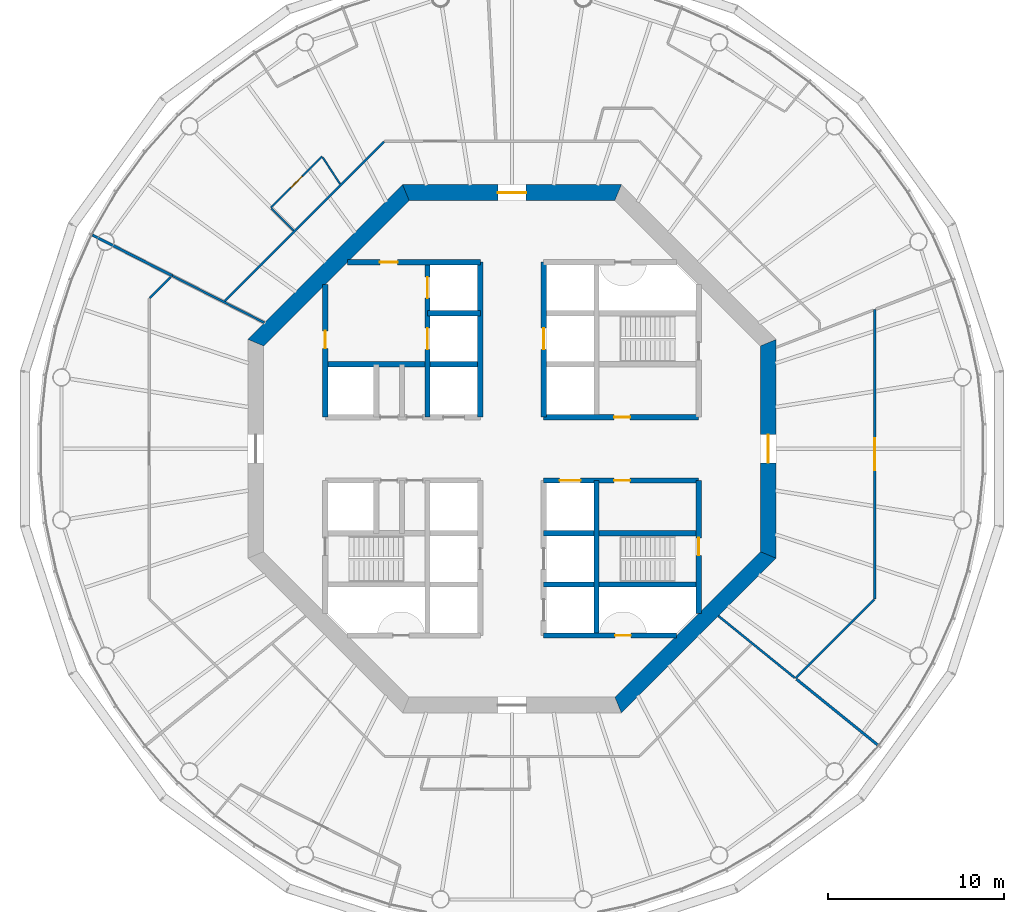
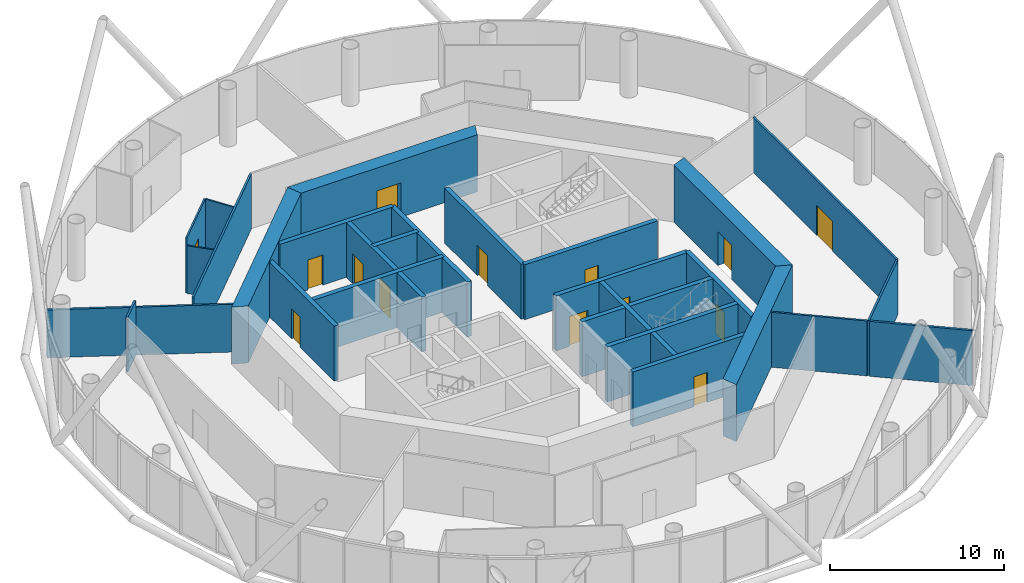
# One storey, part 4 of 12: 29 walls, 14 doors, 14 openings.
"""IFC4 building model written with IfcOpenShell, lengths in metres."""

from ifc_helpers import new_model, si_unit, direction, frame, frame_2d, origin, place, context, subcontext, project, spatial, polyline, rectangle, outline, extrude, material, layer, layer_set, type_object, element, fill, save


model = new_model("IFC4")

# Units and contexts
model_context = context("Model", 3, precision=1e-05, world=origin(), true_north=direction((0.0, 1.0)))
body_context = subcontext(model_context, "Body", "Model", "MODEL_VIEW")
ifc_project = project(units=[si_unit("LENGTHUNIT", "METRE"), si_unit("AREAUNIT", "SQUARE_METRE"), si_unit("VOLUMEUNIT", "CUBIC_METRE"), si_unit("PLANEANGLEUNIT", "RADIAN"), si_unit("MASSUNIT", "GRAM", prefix="KILO")], contexts=[model_context])

# Site, building, storey
site_placement = place(None, origin())
site = spatial("IfcSite", under=ifc_project, at=site_placement, CompositionType="ELEMENT")
building_placement = place(site_placement, origin())
building = spatial("IfcBuilding", under=site, at=building_placement, Name="Entoto Ring Tower", CompositionType="ELEMENT")
storey_placement = place(building_placement, frame((0.0, 0.0, 238.0)))
storey = spatial("IfcBuildingStorey", under=building, at=storey_placement, Name="L54", CompositionType="ELEMENT", Elevation=238.0)

# Wall, opening, door
ifc_material_1 = material(Name="Concrete C40/50", Category="concrete")
ifc_layer_1 = layer(ifc_material_1, 0.300048828125)
ifc_layer_set_1 = layer_set([ifc_layer_1], Name="Concrete C40/50")
wall_type_1 = type_object("IfcWallType", Name="Core enclosure wall 300 mm reinforced concrete", PredefinedType="SOLIDWALL", material=ifc_layer_set_1)
wall_1_placement = place(storey_placement, frame((100.60009765625, 70.65966796875, 0.0), z_axis=(0.0, 0.0, 1.0), x_axis=(0.0, 1.0, 0.0)))
wall_1 = element("IfcWall", 1, at=wall_1_placement, inside=storey, type_object=wall_type_1, Name="wall-L54-001", PredefinedType="SOLIDWALL", context=body_context, shape_type="SweptSolid", body=[
    extrude(rectangle(XDim=7.540283203125, YDim=0.300048828125, at=frame_2d((3.77001953125, 0.0))), origin(), (0.0, 0.0, 1.0), 3.85009765625),
])
opening_1_placement = place(wall_1_placement, frame((3.290283203125, 0.0, 0.0)))
opening_1 = element("IfcOpeningElement", 2, at=opening_1_placement, cuts=wall_1, Name="Opening K-61", PredefinedType="OPENING", context=body_context, shape_type="SweptSolid", body=[
    extrude(rectangle(XDim=1.0, YDim=2.10009765625, at=frame_2d((0.5, 1.050048828125))), frame((0.0, 0.16015625, 0.0), z_axis=(0.0, -1.0, 0.0), x_axis=(1.0, 0.0, 0.0)), (0.0, 0.0, 1.0), 0.320068359375),
])
ifc_material_2 = material(Name="Steel door leaf, fire rated", Category="steel")
ifc_layer_2 = layer(ifc_material_2, 0.050048828125)
ifc_layer_set_2 = layer_set([ifc_layer_2], Name="Steel door leaf, fire rated")
door_type_1 = type_object("IfcDoorType", Name="Fire door FD60 1000 x 2100 single leaf", OperationType="NOTDEFINED", PredefinedType="DOOR", material=ifc_layer_set_2)
door_1_placement = place(opening_1_placement, origin())
door_1 = element("IfcDoor", 3, at=door_1_placement, inside=storey, type_object=door_type_1, Name="Door K-61", OperationType="SINGLE_SWING_RIGHT", OverallHeight=2.10009765625, OverallWidth=1.0, PredefinedType="DOOR", context=body_context, shape_type="SweptSolid", body=[
    extrude(rectangle(XDim=1.0, YDim=2.10009765625, at=frame_2d((0.5, 1.050048828125))), frame((0.0, 0.02490234375, 0.0), z_axis=(0.0, -1.0, 0.0), x_axis=(1.0, 0.0, 0.0)), (0.0, 0.0, 1.0), 0.050048828125),
])
fill(opening_1, door_1)

# Wall
wall_2_placement = place(storey_placement, frame((94.800048828125, 69.39990234375, 0.0), z_axis=(0.0, 0.0, 1.0), x_axis=(0.0, 1.0, 0.0)))
element("IfcWall", 4, at=wall_2_placement, inside=storey, type_object=wall_type_1, Name="wall-L54-003", PredefinedType="SOLIDWALL", context=body_context, shape_type="SweptSolid", body=[
    extrude(rectangle(XDim=8.800048828125, YDim=0.300048828125, at=frame_2d((4.39990234375, 0.0))), origin(), (0.0, 0.0, 1.0), 3.85009765625),
])

# Wall, opening, door
wall_3_placement = place(storey_placement, frame((91.800048828125, 81.800048828125, 0.0), z_axis=(0.0, 0.0, 1.0), x_axis=(0.0, 1.0, 0.0)))
wall_3 = element("IfcWall", 5, at=wall_3_placement, inside=storey, type_object=wall_type_1, Name="wall-L54-006", PredefinedType="SOLIDWALL", context=body_context, shape_type="SweptSolid", body=[
    extrude(rectangle(XDim=8.800048828125, YDim=0.300048828125, at=frame_2d((4.39990234375, 0.0))), origin(), (0.0, 0.0, 1.0), 3.85009765625),
])
opening_2_placement = place(wall_3_placement, frame((3.85009765625, 0.0, 0.0)))
opening_2 = element("IfcOpeningElement", 6, at=opening_2_placement, cuts=wall_3, Name="Opening LD", PredefinedType="OPENING", context=body_context, shape_type="SweptSolid", body=[
    extrude(rectangle(XDim=1.199951171875, YDim=2.10009765625, at=frame_2d((0.60009765625, 1.050048828125))), frame((0.0, 0.16015625, 0.0), z_axis=(0.0, -1.0, 0.0), x_axis=(1.0, 0.0, 0.0)), (0.0, 0.0, 1.0), 0.320068359375),
])
ifc_material_3 = material(Name="Steel and glass door leaf", Category="steel")
ifc_layer_3 = layer(ifc_material_3, 0.050048828125)
ifc_layer_set_3 = layer_set([ifc_layer_3], Name="Steel and glass door leaf")
door_type_2 = type_object("IfcDoorType", Name="Landing door 1200 x 2100 sliding", OperationType="DOUBLE_DOOR_SLIDING", PredefinedType="DOOR", material=ifc_layer_set_3)
door_2_placement = place(opening_2_placement, origin())
door_2 = element("IfcDoor", 7, at=door_2_placement, inside=storey, type_object=door_type_2, Name="Landing door LB1-MR", OperationType="SLIDING_TO_RIGHT", OverallHeight=2.10009765625, OverallWidth=1.199951171875, PredefinedType="DOOR", context=body_context, shape_type="SweptSolid", body=[
    extrude(rectangle(XDim=1.199951171875, YDim=2.10009765625, at=frame_2d((0.60009765625, 1.050048828125))), frame((0.0, 0.02490234375, 0.0), z_axis=(0.0, -1.0, 0.0), x_axis=(1.0, 0.0, 0.0)), (0.0, 0.0, 1.0), 0.050048828125),
])
fill(opening_2, door_2)

# Wall
wall_4_placement = place(storey_placement, frame((88.199951171875, 81.800048828125, 0.0), z_axis=(0.0, 0.0, 1.0), x_axis=(0.0, 1.0, 0.0)))
element("IfcWall", 8, at=wall_4_placement, inside=storey, type_object=wall_type_1, Name="wall-L54-008", PredefinedType="SOLIDWALL", context=body_context, shape_type="SweptSolid", body=[
    extrude(rectangle(XDim=8.800048828125, YDim=0.300048828125, at=frame_2d((4.39990234375, 0.0))), origin(), (0.0, 0.0, 1.0), 3.85009765625),
])

# Wall, openings, doors
wall_5_placement = place(storey_placement, frame((85.199951171875, 81.800048828125, 0.0), z_axis=(0.0, 0.0, 1.0), x_axis=(0.0, 1.0, 0.0)))
wall_5 = element("IfcWall", 9, at=wall_5_placement, inside=storey, type_object=wall_type_1, Name="wall-L54-010", PredefinedType="SOLIDWALL", context=body_context, shape_type="SweptSolid", body=[
    extrude(rectangle(XDim=8.800048828125, YDim=0.300048828125, at=frame_2d((4.39990234375, 0.0))), origin(), (0.0, 0.0, 1.0), 3.85009765625),
])
opening_3_placement = place(wall_5_placement, frame((3.85009765625, 0.0, 0.0)))
opening_3 = element("IfcOpeningElement", 10, at=opening_3_placement, cuts=wall_5, Name="Opening LD", PredefinedType="OPENING", context=body_context, shape_type="SweptSolid", body=[
    extrude(rectangle(XDim=1.199951171875, YDim=2.10009765625, at=frame_2d((0.60009765625, 1.050048828125))), frame((0.0, 0.16015625, 0.0), z_axis=(0.0, -1.0, 0.0), x_axis=(1.0, 0.0, 0.0)), (0.0, 0.0, 1.0), 0.320068359375),
])
opening_4_placement = place(wall_5_placement, frame((6.75, 0.0, 0.0)))
opening_4 = element("IfcOpeningElement", 11, at=opening_4_placement, cuts=wall_5, Name="Opening LD", PredefinedType="OPENING", context=body_context, shape_type="SweptSolid", body=[
    extrude(rectangle(XDim=1.199951171875, YDim=2.10009765625, at=frame_2d((0.60009765625, 1.050048828125))), frame((0.0, 0.16015625, 0.0), z_axis=(0.0, -1.0, 0.0), x_axis=(1.0, 0.0, 0.0)), (0.0, 0.0, 1.0), 0.320068359375),
])
door_3_placement = place(opening_3_placement, origin())
door_3 = element("IfcDoor", 12, at=door_3_placement, inside=storey, type_object=door_type_2, Name="Landing door FF1", OperationType="SLIDING_TO_RIGHT", OverallHeight=2.10009765625, OverallWidth=1.199951171875, PredefinedType="DOOR", context=body_context, shape_type="SweptSolid", body=[
    extrude(rectangle(XDim=1.199951171875, YDim=2.10009765625, at=frame_2d((0.60009765625, 1.050048828125))), frame((0.0, 0.02490234375, 0.0), z_axis=(0.0, -1.0, 0.0), x_axis=(1.0, 0.0, 0.0)), (0.0, 0.0, 1.0), 0.050048828125),
])
fill(opening_3, door_3)
door_4_placement = place(opening_4_placement, origin())
door_4 = element("IfcDoor", 13, at=door_4_placement, inside=storey, type_object=door_type_2, Name="Landing door FF2", OperationType="SLIDING_TO_RIGHT", OverallHeight=2.10009765625, OverallWidth=1.199951171875, PredefinedType="DOOR", context=body_context, shape_type="SweptSolid", body=[
    extrude(rectangle(XDim=1.199951171875, YDim=2.10009765625, at=frame_2d((0.60009765625, 1.050048828125))), frame((0.0, 0.02490234375, 0.0), z_axis=(0.0, -1.0, 0.0), x_axis=(1.0, 0.0, 0.0)), (0.0, 0.0, 1.0), 0.050048828125),
])
fill(opening_4, door_4)

# Wall, opening, door
wall_6_placement = place(storey_placement, frame((79.39990234375, 81.800048828125, 0.0), z_axis=(0.0, 0.0, 1.0), x_axis=(0.0, 1.0, 0.0)))
wall_6 = element("IfcWall", 14, at=wall_6_placement, inside=storey, type_object=wall_type_1, Name="wall-L54-016", PredefinedType="SOLIDWALL", context=body_context, shape_type="SweptSolid", body=[
    extrude(rectangle(XDim=7.540283203125, YDim=0.300048828125, at=frame_2d((3.77001953125, 0.0))), origin(), (0.0, 0.0, 1.0), 3.85009765625),
])
opening_5_placement = place(wall_6_placement, frame((3.89990234375, 0.0, 0.0)))
opening_5 = element("IfcOpeningElement", 15, at=opening_5_placement, cuts=wall_6, Name="Opening K-23", PredefinedType="OPENING", context=body_context, shape_type="SweptSolid", body=[
    extrude(rectangle(XDim=1.0, YDim=2.10009765625, at=frame_2d((0.5, 1.050048828125))), frame((0.0, 0.16015625, 0.0), z_axis=(0.0, -1.0, 0.0), x_axis=(1.0, 0.0, 0.0)), (0.0, 0.0, 1.0), 0.320068359375),
])
door_5_placement = place(opening_5_placement, frame((1.0, 0.0, 0.0), z_axis=(0.0, 0.0, 1.0), x_axis=(-1.0, 0.0, 0.0)))
door_5 = element("IfcDoor", 16, at=door_5_placement, inside=storey, type_object=door_type_1, Name="Door K-23", OperationType="SINGLE_SWING_RIGHT", OverallHeight=2.10009765625, OverallWidth=1.0, PredefinedType="DOOR", context=body_context, shape_type="SweptSolid", body=[
    extrude(rectangle(XDim=1.0, YDim=2.10009765625, at=frame_2d((0.5, 1.050048828125))), frame((0.0, 0.02490234375, 0.0), z_axis=(0.0, -1.0, 0.0), x_axis=(1.0, 0.0, 0.0)), (0.0, 0.0, 1.0), 0.050048828125),
])
fill(opening_5, door_5)

wall_7_placement = place(storey_placement, frame((91.800048828125, 69.39990234375, 0.0), z_axis=(0.0, 0.0, 1.0), x_axis=(1.0, 0.0, 0.0)))
wall_7 = element("IfcWall", 17, at=wall_7_placement, inside=storey, type_object=wall_type_1, Name="wall-L54-018", PredefinedType="SOLIDWALL", context=body_context, shape_type="SweptSolid", body=[
    extrude(rectangle(XDim=7.540283203125, YDim=0.300048828125, at=frame_2d((3.77001953125, 0.0))), origin(), (0.0, 0.0, 1.0), 3.85009765625),
])
opening_6_placement = place(wall_7_placement, frame((4.050048828125, 0.0, 0.0)))
opening_6 = element("IfcOpeningElement", 18, at=opening_6_placement, cuts=wall_7, Name="Opening K-68", PredefinedType="OPENING", context=body_context, shape_type="SweptSolid", body=[
    extrude(rectangle(XDim=0.89990234375, YDim=2.10009765625, at=frame_2d((0.449951171875, 1.050048828125))), frame((0.0, 0.16015625, 0.0), z_axis=(0.0, -1.0, 0.0), x_axis=(1.0, 0.0, 0.0)), (0.0, 0.0, 1.0), 0.320068359375),
])
ifc_material_4 = material(Name="Steel door leaf, fire rated", Category="steel")
ifc_layer_4 = layer(ifc_material_4, 0.050048828125)
ifc_layer_set_4 = layer_set([ifc_layer_4], Name="Steel door leaf, fire rated")
door_type_3 = type_object("IfcDoorType", Name="Riser door FD60 900 x 2100 single leaf", OperationType="NOTDEFINED", PredefinedType="DOOR", material=ifc_layer_set_4)
door_6_placement = place(opening_6_placement, origin())
door_6 = element("IfcDoor", 19, at=door_6_placement, inside=storey, type_object=door_type_3, Name="Door K-68", OperationType="SINGLE_SWING_LEFT", OverallHeight=2.10009765625, OverallWidth=0.89990234375, PredefinedType="DOOR", context=body_context, shape_type="SweptSolid", body=[
    extrude(rectangle(XDim=0.89990234375, YDim=2.10009765625, at=frame_2d((0.449951171875, 1.050048828125))), frame((0.0, 0.02490234375, 0.0), z_axis=(0.0, -1.0, 0.0), x_axis=(1.0, 0.0, 0.0)), (0.0, 0.0, 1.0), 0.050048828125),
])
fill(opening_6, door_6)

# Walls
for number, where, z_axis, x_axis, name in (
    (20, (91.800048828125, 72.300048828125, 0.0), (0.0, 0.0, 1.0), (1.0, 0.0, 0.0), "wall-L54-020"),
    (21, (91.800048828125, 75.199951171875, 0.0), (0.0, 0.0, 1.0), (1.0, 0.0, 0.0), "wall-L54-022"),
):
    element("IfcWall", number, at=place(storey_placement, frame(where, z_axis=z_axis, x_axis=x_axis)), inside=storey, type_object=wall_type_1, Name=name, PredefinedType="SOLIDWALL", context=body_context, shape_type="SweptSolid", body=[
        extrude(rectangle(XDim=8.800048828125, YDim=0.300048828125, at=frame_2d((4.39990234375, 0.0))), origin(), (0.0, 0.0, 1.0), 3.85009765625),
    ])

# Wall, openings, doors
wall_8_placement = place(storey_placement, frame((91.800048828125, 78.199951171875, 0.0), z_axis=(0.0, 0.0, 1.0), x_axis=(1.0, 0.0, 0.0)))
wall_8 = element("IfcWall", 22, at=wall_8_placement, inside=storey, type_object=wall_type_1, Name="wall-L54-024", PredefinedType="SOLIDWALL", context=body_context, shape_type="SweptSolid", body=[
    extrude(rectangle(XDim=8.800048828125, YDim=0.300048828125, at=frame_2d((4.39990234375, 0.0))), origin(), (0.0, 0.0, 1.0), 3.85009765625),
])
opening_7_placement = place(wall_8_placement, frame((0.89990234375, 0.0, 0.0)))
opening_7 = element("IfcOpeningElement", 23, at=opening_7_placement, cuts=wall_8, Name="Opening LD", PredefinedType="OPENING", context=body_context, shape_type="SweptSolid", body=[
    extrude(rectangle(XDim=1.199951171875, YDim=2.10009765625, at=frame_2d((0.60009765625, 1.050048828125))), frame((0.0, 0.16015625, 0.0), z_axis=(0.0, -1.0, 0.0), x_axis=(1.0, 0.0, 0.0)), (0.0, 0.0, 1.0), 0.320068359375),
])
opening_8_placement = place(wall_8_placement, frame((4.0, 0.0, 0.0)))
opening_8 = element("IfcOpeningElement", 24, at=opening_8_placement, cuts=wall_8, Name="Opening K-12", PredefinedType="OPENING", context=body_context, shape_type="SweptSolid", body=[
    extrude(rectangle(XDim=0.89990234375, YDim=2.10009765625, at=frame_2d((0.449951171875, 1.050048828125))), frame((0.0, 0.16015625, 0.0), z_axis=(0.0, -1.0, 0.0), x_axis=(1.0, 0.0, 0.0)), (0.0, 0.0, 1.0), 0.320068359375),
])
ifc_material_5 = material(Name="Steel door leaf, fire rated", Category="steel")
ifc_layer_5 = layer(ifc_material_5, 0.050048828125)
ifc_layer_set_5 = layer_set([ifc_layer_5], Name="Steel door leaf, fire rated")
door_type_4 = type_object("IfcDoorType", Name="Core door 900 x 2100 single leaf", OperationType="NOTDEFINED", PredefinedType="DOOR", material=ifc_layer_set_5)
door_7_placement = place(opening_8_placement, frame((0.89990234375, 0.0, 0.0), z_axis=(0.0, 0.0, 1.0), x_axis=(-1.0, 0.0, 0.0)))
door_7 = element("IfcDoor", 25, at=door_7_placement, inside=storey, type_object=door_type_4, Name="Door K-12", OperationType="SINGLE_SWING_RIGHT", OverallHeight=2.10009765625, OverallWidth=0.89990234375, PredefinedType="DOOR", context=body_context, shape_type="SweptSolid", body=[
    extrude(rectangle(XDim=0.89990234375, YDim=2.10009765625, at=frame_2d((0.449951171875, 1.050048828125))), frame((0.0, 0.02490234375, 0.0), z_axis=(0.0, -1.0, 0.0), x_axis=(1.0, 0.0, 0.0)), (0.0, 0.0, 1.0), 0.050048828125),
])
fill(opening_8, door_7)
door_8_placement = place(opening_7_placement, origin())
door_8 = element("IfcDoor", 26, at=door_8_placement, inside=storey, type_object=door_type_2, Name="Landing door LB6-MR", OperationType="SLIDING_TO_LEFT", OverallHeight=2.10009765625, OverallWidth=1.199951171875, PredefinedType="DOOR", context=body_context, shape_type="SweptSolid", body=[
    extrude(rectangle(XDim=1.199951171875, YDim=2.10009765625, at=frame_2d((0.60009765625, 1.050048828125))), frame((0.0, 0.02490234375, 0.0), z_axis=(0.0, -1.0, 0.0), x_axis=(1.0, 0.0, 0.0)), (0.0, 0.0, 1.0), 0.050048828125),
])
fill(opening_7, door_8)

# Wall, opening, door
wall_9_placement = place(storey_placement, frame((91.800048828125, 81.800048828125, 0.0), z_axis=(0.0, 0.0, 1.0), x_axis=(1.0, 0.0, 0.0)))
wall_9 = element("IfcWall", 27, at=wall_9_placement, inside=storey, type_object=wall_type_1, Name="wall-L54-026", PredefinedType="SOLIDWALL", context=body_context, shape_type="SweptSolid", body=[
    extrude(rectangle(XDim=8.800048828125, YDim=0.300048828125, at=frame_2d((4.39990234375, 0.0))), origin(), (0.0, 0.0, 1.0), 3.85009765625),
])
opening_9_placement = place(wall_9_placement, frame((4.0, 0.0, 0.0)))
opening_9 = element("IfcOpeningElement", 28, at=opening_9_placement, cuts=wall_9, Name="Opening K-11", PredefinedType="OPENING", context=body_context, shape_type="SweptSolid", body=[
    extrude(rectangle(XDim=0.89990234375, YDim=2.10009765625, at=frame_2d((0.449951171875, 1.050048828125))), frame((0.0, 0.16015625, 0.0), z_axis=(0.0, -1.0, 0.0), x_axis=(1.0, 0.0, 0.0)), (0.0, 0.0, 1.0), 0.320068359375),
])
door_9_placement = place(opening_9_placement, origin())
door_9 = element("IfcDoor", 29, at=door_9_placement, inside=storey, type_object=door_type_4, Name="Door K-11", OperationType="SINGLE_SWING_LEFT", OverallHeight=2.10009765625, OverallWidth=0.89990234375, PredefinedType="DOOR", context=body_context, shape_type="SweptSolid", body=[
    extrude(rectangle(XDim=0.89990234375, YDim=2.10009765625, at=frame_2d((0.449951171875, 1.050048828125))), frame((0.0, 0.02490234375, 0.0), z_axis=(0.0, -1.0, 0.0), x_axis=(1.0, 0.0, 0.0)), (0.0, 0.0, 1.0), 0.050048828125),
])
fill(opening_9, door_9)

# Walls
wall_10_placement = place(storey_placement, frame((79.39990234375, 84.800048828125, 0.0), z_axis=(0.0, 0.0, 1.0), x_axis=(1.0, 0.0, 0.0)))
element("IfcWall", 30, at=wall_10_placement, inside=storey, type_object=wall_type_1, Name="wall-L54-027", PredefinedType="SOLIDWALL", context=body_context, shape_type="SweptSolid", body=[
    extrude(rectangle(XDim=8.800048828125, YDim=0.300048828125, at=frame_2d((4.39990234375, 0.0))), origin(), (0.0, 0.0, 1.0), 3.85009765625),
])
wall_11_placement = place(storey_placement, frame((85.199951171875, 87.699951171875, 0.0), z_axis=(0.0, 0.0, 1.0), x_axis=(1.0, 0.0, 0.0)))
element("IfcWall", 31, at=wall_11_placement, inside=storey, type_object=wall_type_1, Name="wall-L54-029", PredefinedType="SOLIDWALL", context=body_context, shape_type="SweptSolid", body=[
    extrude(rectangle(XDim=3.0, YDim=0.300048828125, at=frame_2d((1.5, 0.0))), origin(), (0.0, 0.0, 1.0), 3.85009765625),
])

# Wall, opening, door
wall_12_placement = place(storey_placement, frame((80.65966796875, 90.60009765625, 0.0), z_axis=(0.0, 0.0, 1.0), x_axis=(1.0, 0.0, 0.0)))
wall_12 = element("IfcWall", 32, at=wall_12_placement, inside=storey, type_object=wall_type_1, Name="wall-L54-031", PredefinedType="SOLIDWALL", context=body_context, shape_type="SweptSolid", body=[
    extrude(rectangle(XDim=7.540283203125, YDim=0.300048828125, at=frame_2d((3.77001953125, 0.0))), origin(), (0.0, 0.0, 1.0), 3.85009765625),
])
opening_10_placement = place(wall_12_placement, frame((1.84033203125, 0.0, 0.0)))
opening_10 = element("IfcOpeningElement", 33, at=opening_10_placement, cuts=wall_12, Name="Opening K-73", PredefinedType="OPENING", context=body_context, shape_type="SweptSolid", body=[
    extrude(rectangle(XDim=1.0, YDim=2.10009765625, at=frame_2d((0.5, 1.050048828125))), frame((0.0, 0.16015625, 0.0), z_axis=(0.0, -1.0, 0.0), x_axis=(1.0, 0.0, 0.0)), (0.0, 0.0, 1.0), 0.320068359375),
])
door_10_placement = place(opening_10_placement, frame((1.0, 0.0, 0.0), z_axis=(0.0, 0.0, 1.0), x_axis=(-1.0, 0.0, 0.0)))
door_10 = element("IfcDoor", 34, at=door_10_placement, inside=storey, type_object=door_type_1, Name="Door K-73", OperationType="SINGLE_SWING_LEFT", OverallHeight=2.10009765625, OverallWidth=1.0, PredefinedType="DOOR", context=body_context, shape_type="SweptSolid", body=[
    extrude(rectangle(XDim=1.0, YDim=2.10009765625, at=frame_2d((0.5, 1.050048828125))), frame((0.0, 0.02490234375, 0.0), z_axis=(0.0, -1.0, 0.0), x_axis=(1.0, 0.0, 0.0)), (0.0, 0.0, 1.0), 0.050048828125),
])
fill(opening_10, door_10)

ifc_material_6 = material(Name="Concrete C50/60", Category="concrete")
ifc_layer_6 = layer(ifc_material_6, 0.89990234375)
ifc_layer_set_6 = layer_set([ifc_layer_6], Name="Concrete C50/60")
wall_type_2 = type_object("IfcWallType", Name="Core shear wall 900 mm reinforced concrete C50/60", PredefinedType="SHEAR", material=ifc_layer_set_6)
wall_13_placement = place(storey_placement, frame((104.550048828125, 73.97314453125, 0.0), z_axis=(0.0, 0.0, 1.0), x_axis=(0.0, 1.0, 0.0)))
wall_13 = element("IfcWall", 35, at=wall_13_placement, inside=storey, type_object=wall_type_2, Name="wall-L54-core-0", PredefinedType="SHEAR", context=body_context, shape_type="SweptSolid", body=[
    extrude(outline(polyline([(-0.186279296875, -0.449951171875), (12.239990234375, -0.449951171875), (11.867431640625, 0.449951171875), (0.186279296875, 0.449951171875), (-0.186279296875, -0.449951171875)])), origin(), (0.0, 0.0, 1.0), 4.0),
])
opening_11_placement = place(wall_13_placement, frame((5.226806640625, 0.0, 0.0)))
opening_11 = element("IfcOpeningElement", 36, at=opening_11_placement, cuts=wall_13, Name="Opening K-01", PredefinedType="OPENING", context=body_context, shape_type="SweptSolid", body=[
    extrude(rectangle(XDim=1.60009765625, YDim=2.39990234375, at=frame_2d((0.800048828125, 1.199951171875))), frame((0.0, 0.4599609375, 0.0), z_axis=(0.0, -1.0, 0.0), x_axis=(1.0, 0.0, 0.0)), (0.0, 0.0, 1.0), 0.919921875),
])
ifc_material_7 = material(Name="Steel door leaf, fire rated", Category="steel")
ifc_layer_7 = layer(ifc_material_7, 0.050048828125)
ifc_layer_set_7 = layer_set([ifc_layer_7], Name="Steel door leaf, fire rated")
door_type_5 = type_object("IfcDoorType", Name="Entrance door FD60 1600 x 2400 double leaf", OperationType="DOUBLE_DOOR_SINGLE_SWING", PredefinedType="DOOR", material=ifc_layer_set_7)
door_11_placement = place(opening_11_placement, origin())
door_11 = element("IfcDoor", 37, at=door_11_placement, inside=storey, type_object=door_type_5, Name="Entrance door K-01", OperationType="DOUBLE_DOOR_SINGLE_SWING", OverallHeight=2.39990234375, OverallWidth=1.60009765625, PredefinedType="DOOR", context=body_context, shape_type="SweptSolid", body=[
    extrude(rectangle(XDim=1.60009765625, YDim=2.39990234375, at=frame_2d((0.800048828125, 1.199951171875))), frame((0.0, 0.02490234375, 0.0), z_axis=(0.0, -1.0, 0.0), x_axis=(1.0, 0.0, 0.0)), (0.0, 0.0, 1.0), 0.050048828125),
])
fill(opening_11, door_11)

wall_14_placement = place(storey_placement, frame((96.02685546875, 94.550048828125, 0.0), z_axis=(0.0, 0.0, 1.0), x_axis=(-1.0, 0.0, 0.0)))
wall_14 = element("IfcWall", 38, at=wall_14_placement, inside=storey, type_object=wall_type_2, Name="wall-L54-core-2", PredefinedType="SHEAR", context=body_context, shape_type="SweptSolid", body=[
    extrude(outline(polyline([(-0.186279296875, -0.449951171875), (12.239990234375, -0.449951171875), (11.867431640625, 0.449951171875), (0.186279296875, 0.449951171875), (-0.186279296875, -0.449951171875)])), origin(), (0.0, 0.0, 1.0), 4.0),
])
opening_12_placement = place(wall_14_placement, frame((5.226806640625, 0.0, 0.0)))
opening_12 = element("IfcOpeningElement", 39, at=opening_12_placement, cuts=wall_14, Name="Opening K-02", PredefinedType="OPENING", context=body_context, shape_type="SweptSolid", body=[
    extrude(rectangle(XDim=1.60009765625, YDim=2.39990234375, at=frame_2d((0.800048828125, 1.199951171875))), frame((0.0, 0.4599609375, 0.0), z_axis=(0.0, -1.0, 0.0), x_axis=(1.0, 0.0, 0.0)), (0.0, 0.0, 1.0), 0.919921875),
])
door_12_placement = place(opening_12_placement, origin())
door_12 = element("IfcDoor", 40, at=door_12_placement, inside=storey, type_object=door_type_5, Name="Entrance door K-02", OperationType="DOUBLE_DOOR_SINGLE_SWING", OverallHeight=2.39990234375, OverallWidth=1.60009765625, PredefinedType="DOOR", context=body_context, shape_type="SweptSolid", body=[
    extrude(rectangle(XDim=1.60009765625, YDim=2.39990234375, at=frame_2d((0.800048828125, 1.199951171875))), frame((0.0, 0.02490234375, 0.0), z_axis=(0.0, -1.0, 0.0), x_axis=(1.0, 0.0, 0.0)), (0.0, 0.0, 1.0), 0.050048828125),
])
fill(opening_12, door_12)

# Walls
for number, where, z_axis, x_axis, name in (
    (41, (83.97314453125, 94.550048828125, 0.0), (0.0, 0.0, 1.0), (-0.707106781187, -0.707106781187, 0.0), "wall-L54-core-3"),
    (42, (96.02685546875, 65.449951171875, 0.0), (0.0, 0.0, 1.0), (0.707106781187, 0.707106781187, 0.0), "wall-L54-core-7"),
):
    element("IfcWall", number, at=place(storey_placement, frame(where, z_axis=z_axis, x_axis=x_axis)), inside=storey, type_object=wall_type_2, Name=name, PredefinedType="SHEAR", context=body_context, shape_type="SweptSolid", body=[
        extrude(outline(polyline([(-0.186279296875, -0.449951171875), (12.239990234375, -0.449951171875), (11.867431640625, 0.449951171875), (0.186279296875, 0.449951171875), (-0.186279296875, -0.449951171875)])), origin(), (0.0, 0.0, 1.0), 4.0),
    ])

# Wall, opening, door
ifc_material_8 = material(Name="Fire-resisting plasterboard on steel studs", Category="steel")
ifc_layer_8 = layer(ifc_material_8, 0.125)
ifc_layer_set_8 = layer_set([ifc_layer_8], Name="Fire-resisting plasterboard on steel studs")
wall_type_3 = type_object("IfcWallType", Name="Corridor wall 125 mm one-hour plasterboard on steel studs", PredefinedType="PARTITIONING", material=ifc_layer_set_8)
wall_15_placement = place(storey_placement, frame((110.60009765625, 71.46728515625, 0.0), z_axis=(0.0, 0.0, 1.0), x_axis=(0.0, 1.0, 0.0)))
wall_15 = element("IfcWall", 43, at=wall_15_placement, inside=storey, type_object=wall_type_3, Name="partition-L54-002", PredefinedType="PARTITIONING", context=body_context, shape_type="SweptSolid", body=[
    extrude(rectangle(XDim=16.4404296875, YDim=0.125, at=frame_2d((8.22021484375, 0.0))), origin(), (0.0, 0.0, 1.0), 3.85009765625),
])
opening_13_placement = place(wall_15_placement, frame((7.3203125, 0.0, 0.0)))
opening_13 = element("IfcOpeningElement", 44, at=opening_13_placement, cuts=wall_15, Name="Opening A24-D01", PredefinedType="OPENING", context=body_context, shape_type="SweptSolid", body=[
    extrude(rectangle(XDim=1.800048828125, YDim=2.10009765625, at=frame_2d((0.89990234375, 1.050048828125))), frame((0.0, 0.072509765625, 0.0), z_axis=(0.0, -1.0, 0.0), x_axis=(1.0, 0.0, 0.0)), (0.0, 0.0, 1.0), 0.14501953125),
])
ifc_material_9 = material(Name="Fire-resisting timber door set", Category="wood")
door_type_6 = type_object("IfcDoorType", Name="Door 1800 x 2100 double leaf FD30S fire door", OperationType="DOUBLE_DOOR_SINGLE_SWING", PredefinedType="DOOR", material=ifc_material_9)
door_13_placement = place(opening_13_placement, frame((1.800048828125, 0.0, 0.0), z_axis=(0.0, 0.0, 1.0), x_axis=(-1.0, 0.0, 0.0)))
door_13 = element("IfcDoor", 45, at=door_13_placement, inside=storey, type_object=door_type_6, Name="Door A24-D01", OperationType="DOUBLE_DOOR_SINGLE_SWING", OverallHeight=2.10009765625, OverallWidth=1.800048828125, PredefinedType="DOOR", context=body_context, shape_type="SweptSolid", body=[
    extrude(rectangle(XDim=1.800048828125, YDim=2.10009765625, at=frame_2d((0.89990234375, 1.050048828125))), frame((0.0, 0.02490234375, 0.0), z_axis=(0.0, -1.0, 0.0), x_axis=(1.0, 0.0, 0.0)), (0.0, 0.0, 1.0), 0.050048828125),
])
fill(opening_13, door_13)

# Walls
wall_16_placement = place(storey_placement, frame((73.70068359375, 88.396484375, 0.0), z_axis=(0.0, 0.0, 1.0), x_axis=(0.707106781187, 0.707106781187, 0.0)))
element("IfcWall", 46, at=wall_16_placement, inside=storey, type_object=wall_type_3, Name="partition-L54-006", PredefinedType="PARTITIONING", context=body_context, shape_type="SweptSolid", body=[
    extrude(rectangle(XDim=12.77734375, YDim=0.125, at=frame_2d((6.388671875, 0.0))), origin(), (0.0, 0.0, 1.0), 3.85009765625),
])
wall_17_placement = place(storey_placement, frame((106.097412109375, 66.964599609375, 0.0), z_axis=(0.0, 0.0, 1.0), x_axis=(0.707106781187, 0.707106781187, 0.0)))
element("IfcWall", 47, at=wall_17_placement, inside=storey, type_object=wall_type_3, Name="partition-L54-010", PredefinedType="PARTITIONING", context=body_context, shape_type="SweptSolid", body=[
    extrude(rectangle(XDim=6.323486328125, YDim=0.125, at=frame_2d((3.16162109375, 0.0))), origin(), (0.0, 0.0, 1.0), 3.85009765625),
])
wall_18_placement = place(storey_placement, frame((106.049072265625, 67.003662109375, 0.0), z_axis=(0.0, 0.0, 1.0), x_axis=(-0.777129489168, 0.629340732089, 0.0)))
element("IfcWall", 48, at=wall_18_placement, inside=storey, type_object=wall_type_3, Name="partition-L54-014", PredefinedType="PARTITIONING", context=body_context, shape_type="SweptSolid", body=[
    extrude(rectangle(XDim=5.56884765625, YDim=0.125, at=frame_2d((2.784423828125, 0.0))), origin(), (0.0, 0.0, 1.0), 3.85009765625),
])
wall_19_placement = place(storey_placement, frame((69.43115234375, 88.56396484375, 0.0), z_axis=(0.0, 0.0, 1.0), x_axis=(0.707106781187, 0.707106781187, 0.0)))
element("IfcWall", 49, at=wall_19_placement, inside=storey, type_object=wall_type_3, Name="partition-L54-015", PredefinedType="PARTITIONING", context=body_context, shape_type="SweptSolid", body=[
    extrude(rectangle(XDim=1.6962890625, YDim=0.125, at=frame_2d((0.84814453125, 0.0))), origin(), (0.0, 0.0, 1.0), 3.85009765625),
])
ifc_material_10 = material(Name="Fire-resisting plasterboard on steel studs", Category="steel")
ifc_layer_9 = layer(ifc_material_10, 0.125)
ifc_layer_set_9 = layer_set([ifc_layer_9], Name="Fire-resisting plasterboard on steel studs")
wall_type_4 = type_object("IfcWallType", Name="Corridor wall 125 mm one-hour plasterboard on steel studs, 3350 mm high", PredefinedType="PARTITIONING", material=ifc_layer_set_9)
wall_20_placement = place(storey_placement, frame((75.947021484375, 87.160400390625, 0.0), z_axis=(0.0, 0.0, 1.0), x_axis=(-0.891009750901, 0.453984166905, 0.0)))
element("IfcWall", 50, at=wall_20_placement, inside=storey, type_object=wall_type_4, Name="partition-L54-012", PredefinedType="PARTITIONING", context=body_context, shape_type="SweptSolid", body=[
    extrude(rectangle(XDim=5.88818359375, YDim=0.125, at=frame_2d((2.944091796875, 0.0))), origin(), (0.0, 0.0, 1.0), 3.35009765625),
])

# Wall, opening, door
ifc_material_11 = material(Name="Plasterboard on steel studs", Category="steel")
ifc_layer_10 = layer(ifc_material_11, 0.10009765625)
ifc_layer_set_10 = layer_set([ifc_layer_10], Name="Plasterboard on steel studs")
wall_type_5 = type_object("IfcWallType", Name="Partition 100 mm plasterboard on steel studs", PredefinedType="PARTITIONING", material=ifc_layer_set_10)
wall_21_placement = place(storey_placement, frame((76.30859375, 93.69140625, 0.0), z_axis=(0.0, 0.0, 1.0), x_axis=(0.707106781187, 0.707106781187, 0.0)))
wall_21 = element("IfcWall", 51, at=wall_21_placement, inside=storey, type_object=wall_type_5, Name="partition-L54-026", PredefinedType="PARTITIONING", context=body_context, shape_type="SweptSolid", body=[
    extrude(rectangle(XDim=4.115478515625, YDim=0.10009765625, at=frame_2d((2.0576171875, 0.0))), origin(), (0.0, 0.0, 1.0), 3.85009765625),
])
opening_14_placement = place(wall_21_placement, frame((1.60791015625, 0.0, 0.0)))
opening_14 = element("IfcOpeningElement", 52, at=opening_14_placement, cuts=wall_21, Name="Opening A24-D08", PredefinedType="OPENING", context=body_context, shape_type="SweptSolid", body=[
    extrude(rectangle(XDim=0.89990234375, YDim=2.10009765625, at=frame_2d((0.449951171875, 1.050048828125))), frame((0.0, 0.06005859375, 0.0), z_axis=(0.0, -1.0, 0.0), x_axis=(1.0, 0.0, 0.0)), (0.0, 0.0, 1.0), 0.1201171875),
])
ifc_material_12 = material(Name="Veneered timber door leaf in timber frame", Category="wood")
door_type_7 = type_object("IfcDoorType", Name="Door 900 x 2100 single leaf timber veneer", OperationType="NOTDEFINED", PredefinedType="DOOR", material=ifc_material_12)
door_14_placement = place(opening_14_placement, frame((0.89990234375, 0.0, 0.0), z_axis=(0.0, 0.0, 1.0), x_axis=(-1.0, 0.0, 0.0)))
door_14 = element("IfcDoor", 53, at=door_14_placement, inside=storey, type_object=door_type_7, Name="Door A24-D08", OperationType="SINGLE_SWING_LEFT", OverallHeight=2.10009765625, OverallWidth=0.89990234375, PredefinedType="DOOR", context=body_context, shape_type="SweptSolid", body=[
    extrude(rectangle(XDim=0.89990234375, YDim=2.10009765625, at=frame_2d((0.449951171875, 1.050048828125))), frame((0.0, 0.02490234375, 0.0), z_axis=(0.0, -1.0, 0.0), x_axis=(1.0, 0.0, 0.0)), (0.0, 0.0, 1.0), 0.050048828125),
])
fill(opening_14, door_14)

# Walls
wall_22_placement = place(storey_placement, frame((80.236083984375, 95.034912109375, 0.0), z_axis=(0.0, 0.0, 1.0), x_axis=(-0.544584451758, 0.838706012202, 0.0)))
element("IfcWall", 54, at=wall_22_placement, inside=storey, type_object=wall_type_5, Name="partition-L54-036", PredefinedType="PARTITIONING", context=body_context, shape_type="SweptSolid", body=[
    extrude(rectangle(XDim=1.80615234375, YDim=0.10009765625, at=frame_2d((0.903076171875, 0.0))), origin(), (0.0, 0.0, 1.0), 3.85009765625),
])
ifc_material_13 = material(Name="Plasterboard on steel studs", Category="steel")
ifc_layer_11 = layer(ifc_material_13, 0.10009765625)
ifc_layer_set_11 = layer_set([ifc_layer_11], Name="Plasterboard on steel studs")
wall_type_6 = type_object("IfcWallType", Name="Partition 100 mm plasterboard on steel studs, 3350 mm high", PredefinedType="PARTITIONING", material=ifc_layer_set_11)
wall_23_placement = place(storey_placement, frame((77.60791015625, 92.39208984375, 0.0), z_axis=(0.0, 0.0, 1.0), x_axis=(-0.707106781187, 0.707106781187, 0.0)))
element("IfcWall", 55, at=wall_23_placement, inside=storey, type_object=wall_type_6, Name="partition-L54-039", PredefinedType="PARTITIONING", context=body_context, shape_type="SweptSolid", body=[
    extrude(rectangle(XDim=1.787353515625, YDim=0.10009765625, at=frame_2d((0.8935546875, 0.0))), origin(), (0.0, 0.0, 1.0), 3.35009765625),
])
ifc_material_14 = material(Name="Fire-resisting acoustic plasterboard on steel studs", Category="steel")
ifc_layer_12 = layer(ifc_material_14, 0.14990234375)
ifc_layer_set_12 = layer_set([ifc_layer_12], Name="Fire-resisting acoustic plasterboard on steel studs")
wall_type_7 = type_object("IfcWallType", Name="Party wall 150 mm one-hour acoustic plasterboard on steel studs", PredefinedType="PARTITIONING", material=ifc_layer_set_12)
wall_24_placement = place(storey_placement, frame((110.781005859375, 63.172119140625, 0.0), z_axis=(0.0, 0.0, 1.0), x_axis=(-0.777159904302, 0.62930317268, 0.0)))
element("IfcWall", 56, at=wall_24_placement, inside=storey, type_object=wall_type_7, Name="partition-L54-019", PredefinedType="PARTITIONING", context=body_context, shape_type="SweptSolid", body=[
    extrude(rectangle(XDim=5.955810546875, YDim=0.14990234375, at=frame_2d((2.97802734375, 0.0))), origin(), (0.0, 0.0, 1.0), 3.85009765625),
])
ifc_material_15 = material(Name="Fire-resisting acoustic plasterboard on steel studs", Category="steel")
ifc_layer_13 = layer(ifc_material_15, 0.14990234375)
ifc_layer_set_13 = layer_set([ifc_layer_13], Name="Fire-resisting acoustic plasterboard on steel studs")
wall_type_8 = type_object("IfcWallType", Name="Party wall 150 mm one-hour acoustic plasterboard on steel studs, 3350 mm high", PredefinedType="PARTITIONING", material=ifc_layer_set_13)
wall_25_placement = place(storey_placement, frame((70.700439453125, 89.83349609375, 0.0), z_axis=(0.0, 0.0, 1.0), x_axis=(-0.890998412494, 0.454006419485, 0.0)))
element("IfcWall", 57, at=wall_25_placement, inside=storey, type_object=wall_type_8, Name="partition-L54-020", PredefinedType="PARTITIONING", context=body_context, shape_type="SweptSolid", body=[
    extrude(rectangle(XDim=5.07958984375, YDim=0.14990234375, at=frame_2d((2.539794921875, 0.0))), origin(), (0.0, 0.0, 1.0), 3.35009765625),
])

save(model, "model.ifc")
